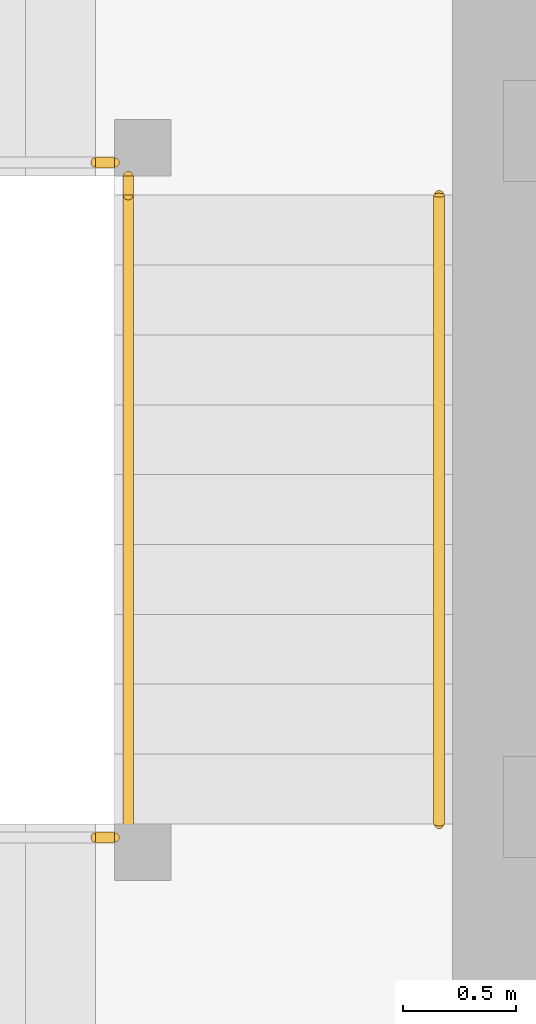
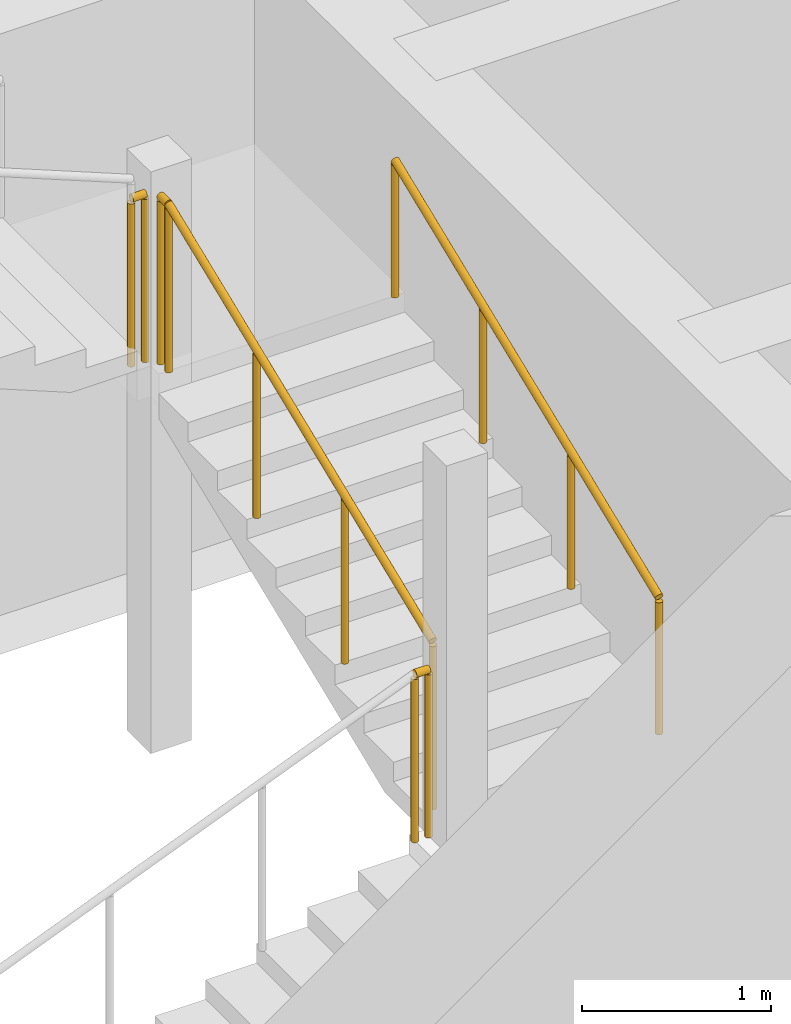
# One storey, part 34 of 39: 5 railings.
"""IFC4 building model written with IfcOpenShell, lengths in metres."""

from ifc_helpers import new_model, si_unit, direction, frame, origin, origin_2d, place, context, subcontext, project, spatial, circle, extrude, material, type_object, element, save


model = new_model("IFC4")

# Units and contexts
model_context = context("Model", 3, precision=1e-05, world=origin(), true_north=direction((0.0, 1.0)))
body_context = subcontext(model_context, "Body", "Model", "MODEL_VIEW")
ifc_project = project(units=[si_unit("LENGTHUNIT", "METRE"), si_unit("AREAUNIT", "SQUARE_METRE"), si_unit("VOLUMEUNIT", "CUBIC_METRE"), si_unit("PLANEANGLEUNIT", "RADIAN"), si_unit("MASSUNIT", "GRAM", prefix="KILO")], contexts=[model_context])

# Site, building, storey
site_placement = place(None, origin())
site = spatial("IfcSite", under=ifc_project, at=site_placement, CompositionType="ELEMENT")
building_placement = place(site_placement, origin())
building = spatial("IfcBuilding", under=site, at=building_placement, Name="Rekha Terrace Tower", CompositionType="ELEMENT")
storey_placement = place(building_placement, frame((0.0, 0.0, 217.699951171875)))
storey = spatial("IfcBuildingStorey", under=building, at=storey_placement, Name="L55", CompositionType="ELEMENT", Elevation=217.699951171875)

# Railings
ifc_material_1 = material(Name="Stainless steel balustrade", Category="steel")
railing_type_1 = type_object("IfcRailingType", Name="GR1 1100 stair guard", PredefinedType="GUARDRAIL", material=ifc_material_1)
railing_1_placement = place(storey_placement, frame((30.135009765625, 41.324951171875, 1.375)))
element("IfcRailing", 1, at=railing_1_placement, inside=storey, type_object=railing_type_1, Name="Guard ST4 L55 flight 2", PredefinedType="GUARDRAIL", context=body_context, shape_type="SweptSolid", body=[
    extrude(circle(Radius=0.02392578125, at=origin_2d()), frame((0.0, 0.0, 1.076171875), z_axis=(0.0, 0.927443287984, 0.373963831907), x_axis=(-1.0, 0.0, 0.0)), (0.0, 0.0, 1.0), 3.00830078125),
    extrude(circle(Radius=0.02099609375, at=origin_2d()), origin(), (0.0, 0.0, 1.0), 1.052001953125),
    extrude(circle(Radius=0.02099609375, at=origin_2d()), frame((0.0, 0.929931640625, 0.375)), (0.0, 0.0, 1.0), 1.052001953125),
    extrude(circle(Radius=0.02099609375, at=origin_2d()), frame((0.0, 1.860107421875, 0.75)), (0.0, 0.0, 1.0), 1.052001953125),
    extrude(circle(Radius=0.02099609375, at=origin_2d()), frame((0.0, 2.7900390625, 1.125)), (0.0, 0.0, 1.0), 1.052001953125),
])
railing_2_placement = place(storey_placement, frame((29.989990234375, 41.264892578125, 1.25)))
element("IfcRailing", 2, at=railing_2_placement, inside=storey, type_object=railing_type_1, Name="Guard ST4 L55 landing 1", PredefinedType="GUARDRAIL", context=body_context, shape_type="SweptSolid", body=[
    extrude(circle(Radius=0.02392578125, at=origin_2d()), frame((0.0, 0.0, 1.076171875), z_axis=(1.0, 0.0, 0.0), x_axis=(0.0, 1.0, 0.0)), (0.0, 0.0, 1.0), 0.0849609375),
    extrude(circle(Radius=0.02099609375, at=origin_2d()), origin(), (0.0, 0.0, 1.0), 1.052001953125),
    extrude(circle(Radius=0.02099609375, at=origin_2d()), frame((0.0849609375, 0.0, 0.0)), (0.0, 0.0, 1.0), 1.052001953125),
])
railing_3_placement = place(storey_placement, frame((30.135009765625, 44.114990234375, 2.5)))
element("IfcRailing", 3, at=railing_3_placement, inside=storey, type_object=railing_type_1, Name="Guard ST4 L55 landing 2", PredefinedType="GUARDRAIL", context=body_context, shape_type="SweptSolid", body=[
    extrude(circle(Radius=0.02392578125, at=origin_2d()), frame((0.0, 0.0, 1.076171875), z_axis=(0.0, 1.0, 0.0), x_axis=(-1.0, 0.0, 0.0)), (0.0, 0.0, 1.0), 0.0849609375),
    extrude(circle(Radius=0.02099609375, at=origin_2d()), origin(), (0.0, 0.0, 1.0), 1.052001953125),
    extrude(circle(Radius=0.02099609375, at=origin_2d()), frame((0.0, 0.0849609375, 0.0)), (0.0, 0.0, 1.0), 1.052001953125),
])
railing_4_placement = place(storey_placement, frame((29.989990234375, 44.260009765625, 2.5)))
element("IfcRailing", 4, at=railing_4_placement, inside=storey, type_object=railing_type_1, Name="Guard ST4 L55 landing 3", PredefinedType="GUARDRAIL", context=body_context, shape_type="SweptSolid", body=[
    extrude(circle(Radius=0.02392578125, at=origin_2d()), frame((0.0, 0.0, 1.076171875), z_axis=(1.0, 0.0, 0.0), x_axis=(0.0, 1.0, 0.0)), (0.0, 0.0, 1.0), 0.0849609375),
    extrude(circle(Radius=0.02099609375, at=origin_2d()), origin(), (0.0, 0.0, 1.0), 1.052001953125),
    extrude(circle(Radius=0.02099609375, at=origin_2d()), frame((0.0849609375, 0.0, 0.0)), (0.0, 0.0, 1.0), 1.052001953125),
])
ifc_material_2 = material(Name="Stainless steel tube", Category="steel")
railing_type_2 = type_object("IfcRailingType", Name="HR1 900 stair handrail", PredefinedType="HANDRAIL", material=ifc_material_2)
railing_5_placement = place(storey_placement, frame((31.514892578125, 41.324951171875, 1.375)))
element("IfcRailing", 5, at=railing_5_placement, inside=storey, type_object=railing_type_2, Name="Handrail ST4 L55 flight 2", PredefinedType="HANDRAIL", context=body_context, shape_type="SweptSolid", body=[
    extrude(circle(Radius=0.02392578125, at=origin_2d()), frame((0.0, 0.0, 0.8759765625), z_axis=(0.0, 0.927443287984, 0.373963831907), x_axis=(-1.0, 0.0, 0.0)), (0.0, 0.0, 1.0), 3.00830078125),
    extrude(circle(Radius=0.02099609375, at=origin_2d()), origin(), (0.0, 0.0, 1.0), 0.851806640625),
    extrude(circle(Radius=0.02099609375, at=origin_2d()), frame((0.0, 0.929931640625, 0.375)), (0.0, 0.0, 1.0), 0.851806640625),
    extrude(circle(Radius=0.02099609375, at=origin_2d()), frame((0.0, 1.860107421875, 0.75)), (0.0, 0.0, 1.0), 0.851806640625),
    extrude(circle(Radius=0.02099609375, at=origin_2d()), frame((0.0, 2.7900390625, 1.125)), (0.0, 0.0, 1.0), 0.851806640625),
])

save(model, "model.ifc")
